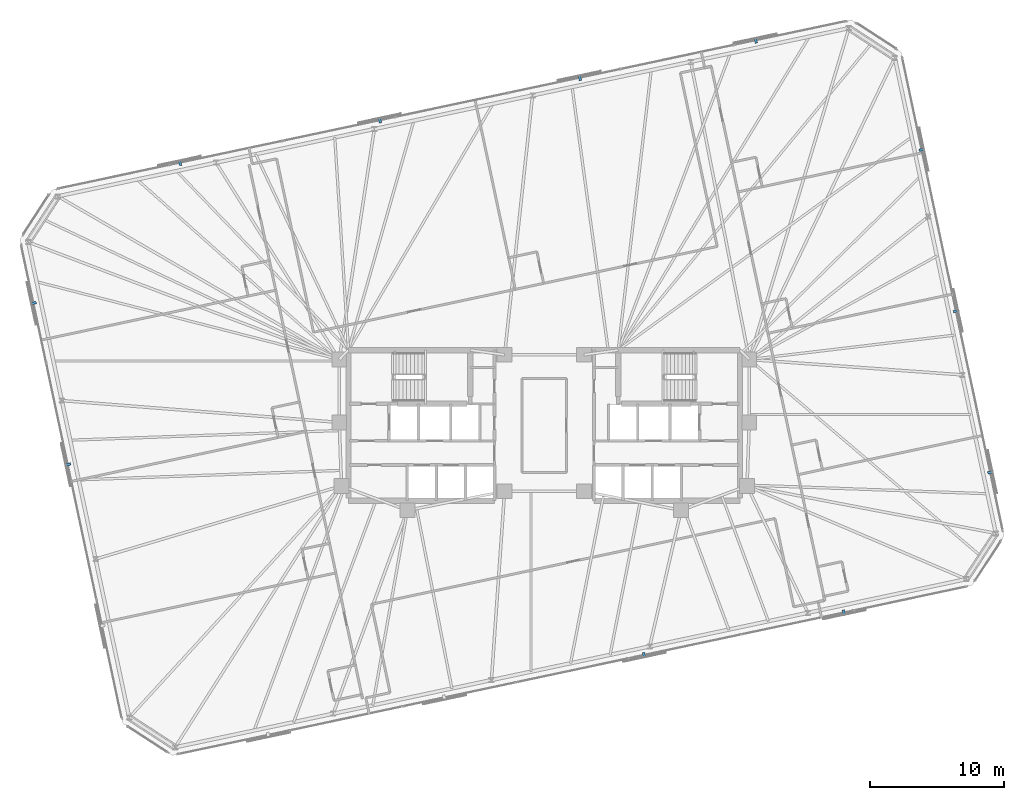
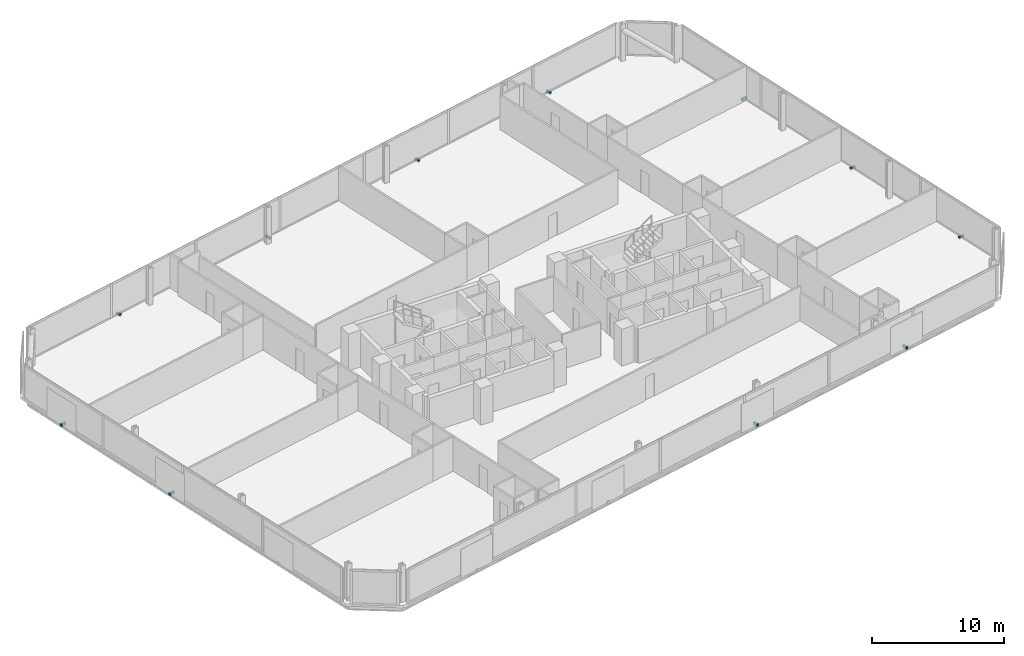
# One storey, part 18 of 19: 11 discrete accessories.
"""IFC4 building model written with IfcOpenShell, lengths in metres."""

from ifc_helpers import new_model, si_unit, direction, frame, origin, origin_2d, place, context, subcontext, project, spatial, rectangle, extrude, material, type_object, element, save


model = new_model("IFC4")

# Units and contexts
model_context = context("Model", 3, precision=1e-05, world=origin(), true_north=direction((0.0, 1.0)))
body_context = subcontext(model_context, "Body", "Model", "MODEL_VIEW")
ifc_project = project(units=[si_unit("LENGTHUNIT", "METRE"), si_unit("AREAUNIT", "SQUARE_METRE"), si_unit("VOLUMEUNIT", "CUBIC_METRE"), si_unit("PLANEANGLEUNIT", "RADIAN"), si_unit("MASSUNIT", "GRAM", prefix="KILO")], contexts=[model_context])

# Site, building, storey
site_placement = place(None, origin())
site = spatial("IfcSite", under=ifc_project, at=site_placement, CompositionType="ELEMENT")
building_placement = place(site_placement, origin())
building = spatial("IfcBuilding", under=site, at=building_placement, Name="Menara Jurai Vektor", CompositionType="ELEMENT")
storey_placement = place(building_placement, frame((0.0, 0.0, 171.800048828125)))
storey = spatial("IfcBuildingStorey", under=building, at=storey_placement, Name="L44", CompositionType="ELEMENT", Elevation=171.800048828125)

# Discrete accessories
ifc_material = material(Name="Steel S355", Category="steel")
discrete_accessory_type = type_object("IfcDiscreteAccessoryType", Name="ENV-ACC-BRACKET", PredefinedType="BRACKET", material=ifc_material)
for number, where, z_axis, x_axis, name in (
    (1, (7.424560546875, -17.102294921875, -0.1298828125), (0.0, 0.0, 1.0), (0.978147600734, 0.207911690818, 0.0), "Solar Screen Stand-Off Bracket L44-S03"),
    (2, (22.29248046875, -13.94189453125, -0.1298828125), (0.0, 0.0, 1.0), (0.978147600734, 0.207911690818, 0.0), "Solar Screen Stand-Off Bracket L44-S04"),
    (3, (33.19580078125, -3.491455078125, -0.1298828125), (0.0, 0.0, 1.0), (-0.207911690818, 0.978147600734, 0.0), "Solar Screen Stand-Off Bracket L44-S05"),
    (4, (30.6455078125, 8.50732421875, -0.1298828125), (0.0, 0.0, 1.0), (-0.207911690818, 0.978147600734, 0.0), "Solar Screen Stand-Off Bracket L44-S06"),
    (5, (28.09521484375, 20.505859375, -0.1298828125), (0.0, 0.0, 1.0), (-0.207911690818, 0.978147600734, 0.0), "Solar Screen Stand-Off Bracket L44-S07"),
    (6, (15.72705078125, 28.6435546875, -0.1298828125), (0.0, 0.0, 1.0), (-0.978147600734, -0.207911690818, 0.0), "Solar Screen Stand-Off Bracket L44-S08"),
    (7, (2.643310546875, 25.862548828125, -0.1298828125), (0.0, 0.0, 1.0), (-0.978147600734, -0.207911690818, 0.0), "Solar Screen Stand-Off Bracket L44-S09"),
    (8, (-12.224609375, 22.702392578125, -0.1298828125), (0.0, 0.0, 1.0), (-0.978147600734, -0.207911690818, 0.0), "Solar Screen Stand-Off Bracket L44-S10"),
    (9, (-27.092529296875, 19.5419921875, -0.1298828125), (0.0, 0.0, 1.0), (-0.978147600734, -0.207911690818, 0.0), "Solar Screen Stand-Off Bracket L44-S11"),
    (10, (-37.995849609375, 9.09130859375, -0.1298828125), (0.0, 0.0, 1.0), (0.207911690818, -0.978147600734, 0.0), "Solar Screen Stand-Off Bracket L44-S12"),
    (11, (-35.445556640625, -2.9072265625, -0.1298828125), (0.0, 0.0, 1.0), (0.207911690818, -0.978147600734, 0.0), "Solar Screen Stand-Off Bracket L44-S13"),
):
    element("IfcDiscreteAccessory", number, at=place(storey_placement, frame(where, z_axis=z_axis, x_axis=x_axis)), inside=storey, type_object=discrete_accessory_type, Name=name, PredefinedType="BRACKET", context=body_context, shape_type="SweptSolid", body=[
        extrude(rectangle(XDim=0.179931640625, YDim=0.43994140625, at=origin_2d()), origin(), (0.0, 0.0, 1.0), 0.219970703125),
    ])

save(model, "model.ifc")
